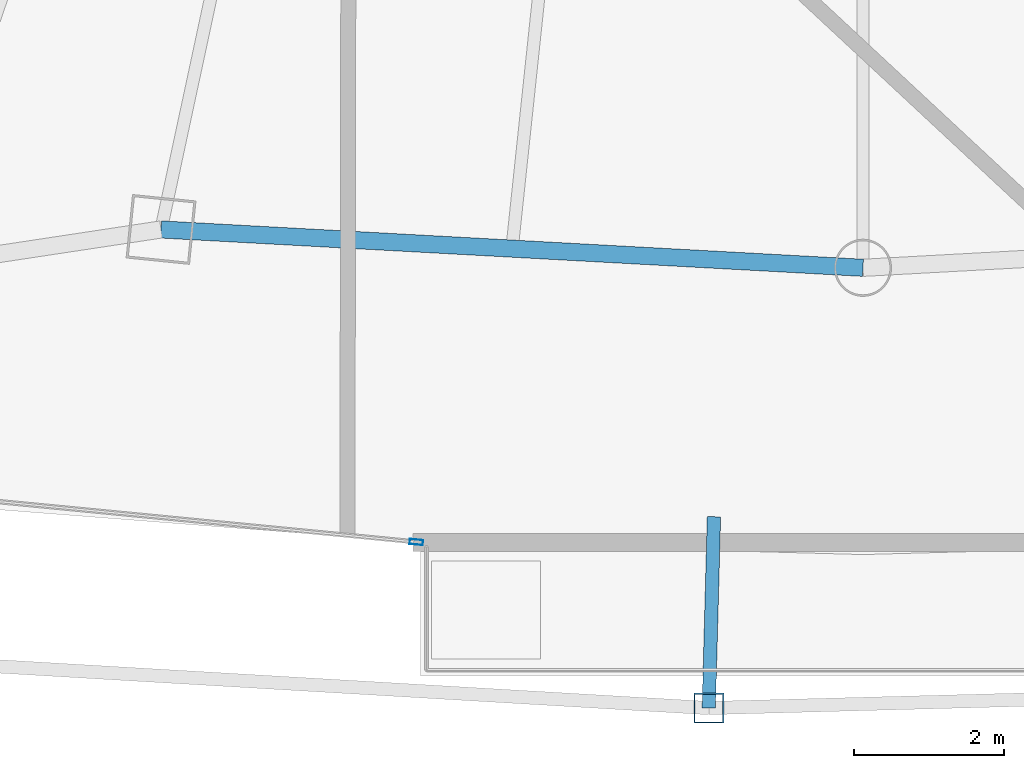
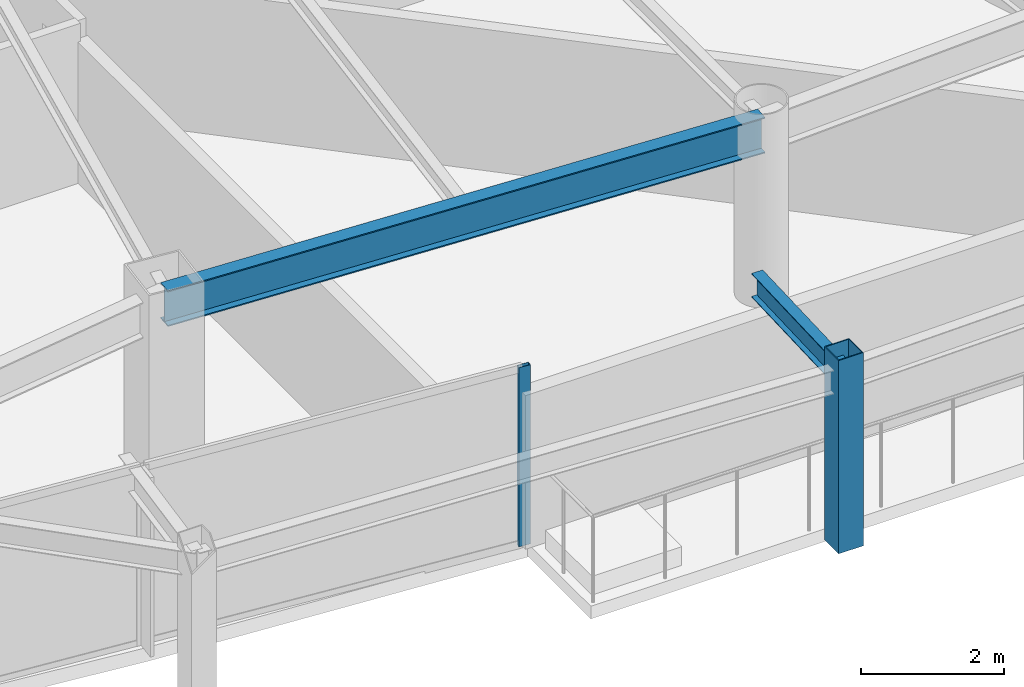
# One storey, part 6 of 31: 2 beams, 2 members, 1 element without a shape of its own.
"""IFC4 building model written with IfcOpenShell, lengths in metres."""

from ifc_helpers import new_model, si_unit, direction, frame, origin, origin_2d, place, context, subcontext, project, spatial, hollow_rectangle, i_section, extrude, material, layer, layer_set, material_profile, profile_set, type_object, element, aggregate, save


model = new_model("IFC4")

# Units and contexts
model_context = context("Model", 3, precision=1e-05, world=origin(), true_north=direction((0.0, 1.0)))
body_context = subcontext(model_context, "Body", "Model", "MODEL_VIEW")
ifc_project = project(units=[si_unit("LENGTHUNIT", "METRE"), si_unit("AREAUNIT", "SQUARE_METRE"), si_unit("VOLUMEUNIT", "CUBIC_METRE"), si_unit("PLANEANGLEUNIT", "RADIAN"), si_unit("MASSUNIT", "GRAM", prefix="KILO")], contexts=[model_context])

# Site, building, storey
site_placement = place(None, origin())
site = spatial("IfcSite", under=ifc_project, at=site_placement, CompositionType="ELEMENT")
building_placement = place(site_placement, origin())
building = spatial("IfcBuilding", under=site, at=building_placement, Name="Orvanel Arch Residences", CompositionType="ELEMENT")
storey_placement = place(building_placement, frame((0.0, 0.0, 126.5)))
storey = spatial("IfcBuildingStorey", under=building, at=storey_placement, Name="L35", CompositionType="ELEMENT", Elevation=126.5)

# Curtain wall, member
ifc_material_1 = material(Name="Bronze-anodised aluminium AA6063-T6", Category="aluminium")
ifc_layer = layer(ifc_material_1, 0.179931640625)
ifc_layer_set = layer_set([ifc_layer], Name="Bronze-anodised aluminium AA6063-T6")
curtain_wall_type = type_object("IfcCurtainWallType", Name="CW3-MID-SYS", PredefinedType="NOTDEFINED", material=ifc_layer_set)
curtain_wall_placement = place(storey_placement, origin())
curtain_wall = element("IfcCurtainWall", 1, at=curtain_wall_placement, inside=storey, type_object=curtain_wall_type, Name="L35 CW3-MID-SYS Unitised Curtain Wall", PredefinedType="NOTDEFINED")
ifc_material_profile_1 = material_profile(ifc_material_1, hollow_rectangle(XDim=0.070068359375, YDim=0.179931640625, WallThickness=0.00439453125, at=origin_2d()), Name="ALU180x70x4.5")
ifc_profile_set_1 = profile_set([ifc_material_profile_1], Name="Bronze-anodised aluminium AA6063-T6")
member_type_1 = type_object("IfcMemberType", Name="MUL-180x70", PredefinedType="MULLION", material=ifc_profile_set_1)
member_1_placement = place(storey_placement, frame((27.050048828125, 3.1904296875, 0.0), z_axis=(0.0, 0.0, 1.0), x_axis=(0.096408125648, 0.995341887649, 0.0)))
member_1 = element("IfcMember", 2, at=member_1_placement, type_object=member_type_1, Name="CW-S3 mullion 3", PredefinedType="MULLION", context=body_context, shape_type="SweptSolid", body=[
    extrude(hollow_rectangle(XDim=0.070068359375, YDim=0.179931640625, WallThickness=0.00439453125, at=origin_2d()), origin(), (0.0, 0.0, 1.0), 3.06005859375),
])
aggregate(curtain_wall, [member_1])

# Beams
ifc_material_2 = material(Name="Structural steel AS/NZS 3679.1 Grade 300 (300 MPa)", Category="steel")
ifc_material_profile_2 = material_profile(ifc_material_2, i_section(OverallWidth=0.177978515625, OverallDepth=0.406005859375, WebThickness=0.0078125, FlangeThickness=0.0126953125, at=origin_2d()), Name="410UB59.7")
ifc_profile_set_2 = profile_set([ifc_material_profile_2], Name="Structural steel AS/NZS 3679.1 Grade 300 (300 MPa)")
beam_type_1 = type_object("IfcBeamType", Name="OB-410UB-EXT", PredefinedType="SPANDREL", material=ifc_profile_set_2)
beam_1_placement = place(storey_placement, frame((31.014892578125, 3.528076171875, 2.85693359375), z_axis=(-0.026999061336, -0.999635458898, 0.0), x_axis=(0.999635458898, -0.026999061336, 0.0)))
element("IfcBeam", 3, at=beam_1_placement, inside=storey, type_object=beam_type_1, Name="L35 Outer Frame Radial Tie Beam 06", PredefinedType="SPANDREL", context=body_context, shape_type="SweptSolid", body=[
    extrude(i_section(OverallWidth=0.177978515625, OverallDepth=0.406005859375, WebThickness=0.0078125, FlangeThickness=0.0126953125, at=origin_2d()), origin(), (0.0, 0.0, 1.0), 2.550048828125),
])
ifc_material_profile_3 = material_profile(ifc_material_2, i_section(OverallWidth=0.22900390625, OverallDepth=0.612060546875, WebThickness=0.011962890625, FlangeThickness=0.01953125, at=origin_2d()), Name="610UB125")
ifc_profile_set_3 = profile_set([ifc_material_profile_3], Name="Structural steel AS/NZS 3679.1 Grade 300 (300 MPa)")
beam_type_2 = type_object("IfcBeamType", Name="SP-610UB", PredefinedType="SPANDREL", material=ifc_profile_set_3)
beam_2_placement = place(storey_placement, frame((23.64892578125, 7.35498046875, 2.75390625), z_axis=(0.998510315598, -0.054563262768, 0.0), x_axis=(0.054563262768, 0.998510315598, 0.0)))
element("IfcBeam", 4, at=beam_2_placement, inside=storey, type_object=beam_type_2, Name="L35 Perimeter Spandrel Beam 05", PredefinedType="SPANDREL", context=body_context, shape_type="SweptSolid", body=[
    extrude(i_section(OverallWidth=0.22900390625, OverallDepth=0.612060546875, WebThickness=0.011962890625, FlangeThickness=0.01953125, at=origin_2d()), origin(), (0.0, 0.0, 1.0), 9.364990234375),
])

# Member
ifc_material_3 = material(Name="Structural steel AS/NZS 1163 C450L0 (Grade 450)", Category="steel")
ifc_material_profile_4 = material_profile(ifc_material_3, hollow_rectangle(XDim=0.39990234375, YDim=0.39990234375, WallThickness=0.01611328125, at=origin_2d()), Name="SHS400x400x16")
ifc_profile_set_4 = profile_set([ifc_material_profile_4], Name="Structural steel AS/NZS 1163 C450L0 (Grade 450)")
member_type_2 = type_object("IfcMemberType", Name="ST-400SHS-EXT", PredefinedType="STRUT", material=ifc_profile_set_4)
member_2_placement = place(storey_placement, frame((30.946044921875, 0.97900390625, 0.0), z_axis=(0.0, 0.0, 1.0), x_axis=(1.0, 0.0, 0.0)))
element("IfcMember", 5, at=member_2_placement, inside=storey, type_object=member_type_2, Name="L35 Outer Perimeter Frame Post 06", PredefinedType="STRUT", context=body_context, shape_type="SweptSolid", body=[
    extrude(hollow_rectangle(XDim=0.39990234375, YDim=0.39990234375, WallThickness=0.01611328125, at=origin_2d()), origin(), (0.0, 0.0, 1.0), 3.300048828125),
])

save(model, "model.ifc")
